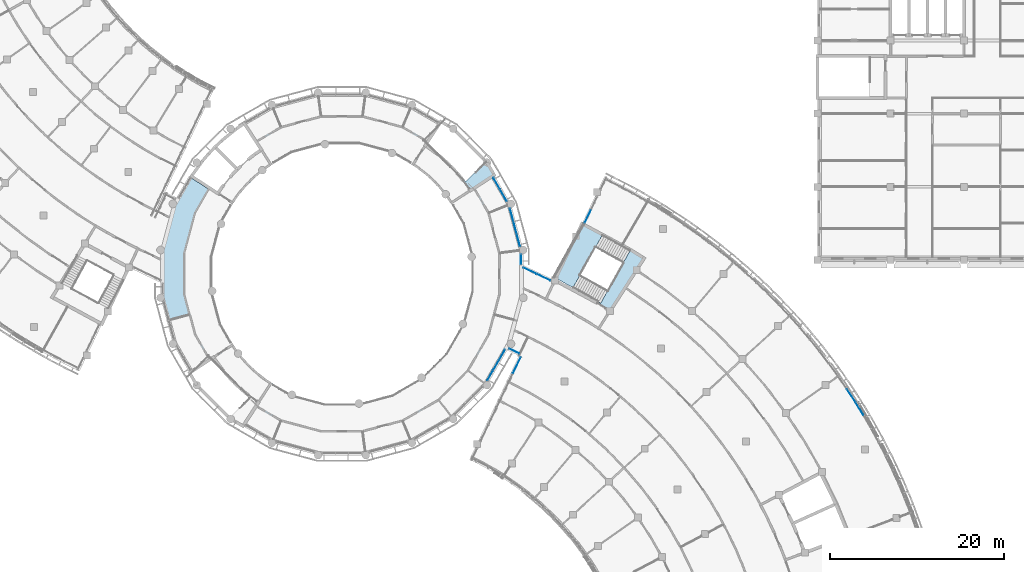
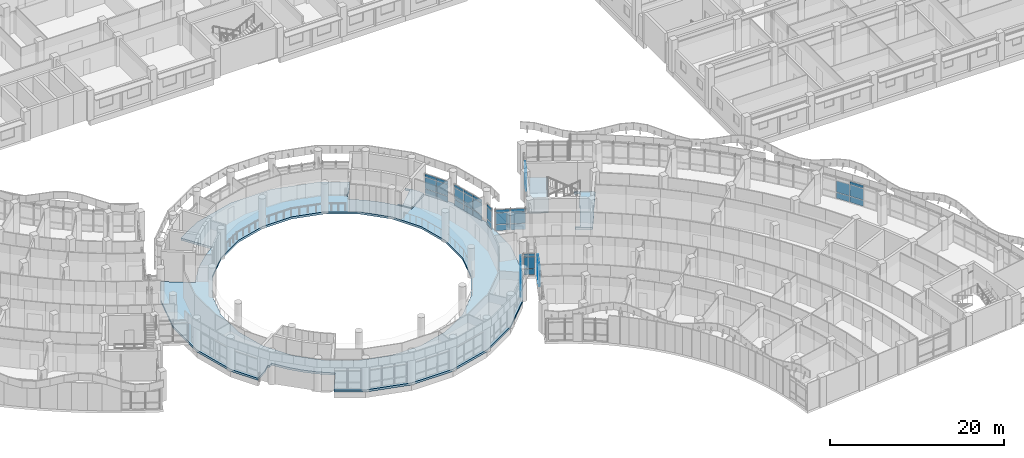
# One storey, part 35 of 109: 47 plates, 4 slabs, 10 elements without a shape of their own.
"""IFC4 building model written with IfcOpenShell, lengths in metres."""

from ifc_helpers import new_model, si_unit, direction, frame, origin, origin_2d, place, context, subcontext, project, spatial, polyline, rectangle, outline, extrude, material, layer, layer_set, type_object, element, aggregate, save


model = new_model("IFC4")

# Units and contexts
model_context = context("Model", 3, precision=1e-05, world=origin(), true_north=direction((0.0, 1.0)))
body_context = subcontext(model_context, "Body", "Model", "MODEL_VIEW")
ifc_project = project(units=[si_unit("LENGTHUNIT", "METRE"), si_unit("AREAUNIT", "SQUARE_METRE"), si_unit("VOLUMEUNIT", "CUBIC_METRE"), si_unit("PLANEANGLEUNIT", "RADIAN"), si_unit("MASSUNIT", "GRAM", prefix="KILO")], contexts=[model_context])

# Site, building, storey
site_placement = place(None, origin())
site = spatial("IfcSite", under=ifc_project, at=site_placement, CompositionType="ELEMENT")
building_placement = place(site_placement, origin())
building = spatial("IfcBuilding", under=site, at=building_placement, Name="Bougainvillea Quay General Hospital", CompositionType="ELEMENT")
storey_placement = place(building_placement, frame((0.0, 0.0, 12.60009765625)))
storey = spatial("IfcBuildingStorey", under=building, at=storey_placement, Name="L02", CompositionType="ELEMENT", Elevation=12.60009765625)

# Curtain wall, plates
ifc_material_1 = material(Name="Aluminium curtain wall system, powder-coated glazed", Category="aluminium")
curtain_wall_type_1 = type_object("IfcCurtainWallType", Name="Unitised curtain wall CW-1422", PredefinedType="NOTDEFINED", material=ifc_material_1)
curtain_wall_1_placement = place(storey_placement, origin())
curtain_wall_1 = element("IfcCurtainWall", 1, at=curtain_wall_1_placement, inside=storey, type_object=curtain_wall_type_1, Name="CW-AE 00", PredefinedType="NOTDEFINED")
ifc_material_2 = material(Name="Insulated aluminium spandrel panel, white", Category="aluminium")
ifc_layer_1 = layer(ifc_material_2, 0.028076171875)
ifc_layer_set_1 = layer_set([ifc_layer_1], Name="Insulated aluminium spandrel panel, white")
plate_type_1 = type_object("IfcPlateType", Name="Insulated spandrel panel white 28", PredefinedType="CURTAIN_PANEL", material=ifc_layer_set_1)
plate_1_placement = place(storey_placement, frame((128.986083984375, 65.133544921875, 0.059814453125), z_axis=(0.0, 0.0, 1.0), x_axis=(0.902574242771, -0.430534245195, 0.0)))
plate_1 = element("IfcPlate", 2, at=plate_1_placement, type_object=plate_type_1, Name="CW-AE spandrel panel 1.1", PredefinedType="CURTAIN_PANEL", context=body_context, shape_type="SweptSolid", body=[
    extrude(rectangle(XDim=1.301513671875, YDim=0.028076171875, at=origin_2d()), origin(), (0.0, 0.0, 1.0), 0.81005859375),
])
plate_2_placement = place(storey_placement, frame((128.986083984375, 65.133544921875, 2.580078125), z_axis=(0.0, 0.0, 1.0), x_axis=(0.902574242771, -0.430534245195, 0.0)))
plate_2 = element("IfcPlate", 3, at=plate_2_placement, type_object=plate_type_1, Name="CW-AE spandrel panel 1.3", PredefinedType="CURTAIN_PANEL", context=body_context, shape_type="SweptSolid", body=[
    extrude(rectangle(XDim=1.301513671875, YDim=0.028076171875, at=origin_2d()), origin(), (0.0, 0.0, 1.0), 0.409912109375),
])

curtain_wall_type_2 = type_object("IfcCurtainWallType", Name="Unitised curtain wall CW-2157", PredefinedType="NOTDEFINED", material=ifc_material_1)
curtain_wall_2_placement = place(storey_placement, origin())
curtain_wall_2 = element("IfcCurtainWall", 4, at=curtain_wall_2_placement, inside=storey, type_object=curtain_wall_type_2, Name="CW-AE 00", PredefinedType="NOTDEFINED")
plate_3_placement = place(storey_placement, frame((129.275146484375, 63.5078125, 0.059814453125), z_axis=(0.0, 0.0, 1.0), x_axis=(-0.430530445105, -0.902576055431, 0.0)))
plate_3 = element("IfcPlate", 5, at=plate_3_placement, type_object=plate_type_1, Name="CW-AE spandrel panel 1.1", PredefinedType="CURTAIN_PANEL", context=body_context, shape_type="SweptSolid", body=[
    extrude(rectangle(XDim=2.06591796875, YDim=0.028076171875, at=origin_2d()), origin(), (0.0, 0.0, 1.0), 0.81005859375),
])
plate_4_placement = place(storey_placement, frame((129.275146484375, 63.5078125, 2.580078125), z_axis=(0.0, 0.0, 1.0), x_axis=(-0.430530445105, -0.902576055431, 0.0)))
plate_4 = element("IfcPlate", 6, at=plate_4_placement, type_object=plate_type_1, Name="CW-AE spandrel panel 1.3", PredefinedType="CURTAIN_PANEL", context=body_context, shape_type="SweptSolid", body=[
    extrude(rectangle(XDim=2.06591796875, YDim=0.028076171875, at=origin_2d()), origin(), (0.0, 0.0, 1.0), 0.409912109375),
])

curtain_wall_type_3 = type_object("IfcCurtainWallType", Name="Unitised curtain wall CW-2100", PredefinedType="NOTDEFINED", material=ifc_material_1)
curtain_wall_3_placement = place(storey_placement, origin())
curtain_wall_3 = element("IfcCurtainWall", 7, at=curtain_wall_3_placement, inside=storey, type_object=curtain_wall_type_3, Name="CW-E05 a23b4", PredefinedType="NOTDEFINED")
plate_5_placement = place(storey_placement, frame((167.654052734375, 60.04541015625, 0.059814453125), z_axis=(0.0, 0.0, 1.0), x_axis=(0.545493585615, -0.838114996915, 0.0)))
plate_5 = element("IfcPlate", 8, at=plate_5_placement, type_object=plate_type_1, Name="CW-E05 spandrel panel 2.1", PredefinedType="CURTAIN_PANEL", context=body_context, shape_type="SweptSolid", body=[
    extrude(rectangle(XDim=1.72021484375, YDim=0.028076171875, at=origin_2d()), origin(), (0.0, 0.0, 1.0), 0.81005859375),
])
plate_6_placement = place(storey_placement, frame((168.60595703125, 58.541015625, 0.059814453125), z_axis=(0.0, 0.0, 1.0), x_axis=(0.523926442936, -0.851763513185, 0.0)))
plate_6 = element("IfcPlate", 9, at=plate_6_placement, type_object=plate_type_1, Name="CW-E05 spandrel panel 3.1", PredefinedType="CURTAIN_PANEL", context=body_context, shape_type="SweptSolid", body=[
    extrude(rectangle(XDim=1.72021484375, YDim=0.028076171875, at=origin_2d()), origin(), (0.0, 0.0, 1.0), 0.81005859375),
])
plate_7_placement = place(storey_placement, frame((168.60595703125, 58.541015625, 2.580078125), z_axis=(0.0, 0.0, 1.0), x_axis=(0.523926442936, -0.851763513185, 0.0)))
plate_7 = element("IfcPlate", 10, at=plate_7_placement, type_object=plate_type_1, Name="CW-E05 spandrel panel 3.3", PredefinedType="CURTAIN_PANEL", context=body_context, shape_type="SweptSolid", body=[
    extrude(rectangle(XDim=1.72021484375, YDim=0.028076171875, at=origin_2d()), origin(), (0.0, 0.0, 1.0), 0.409912109375),
])

curtain_wall_type_4 = type_object("IfcCurtainWallType", Name="Unitised curtain wall CW-1703", PredefinedType="NOTDEFINED", material=ifc_material_1)
curtain_wall_4_placement = place(storey_placement, origin())
curtain_wall_4 = element("IfcCurtainWall", 11, at=curtain_wall_4_placement, inside=storey, type_object=curtain_wall_type_4, Name="CW-AE 01", PredefinedType="NOTDEFINED")
plate_8_placement = place(storey_placement, frame((137.426513671875, 80.597412109375, 0.059814453125), z_axis=(0.0, 0.0, 1.0), x_axis=(-0.430530445105, -0.902576055431, 0.0)))
plate_8 = element("IfcPlate", 12, at=plate_8_placement, type_object=plate_type_1, Name="CW-AE spandrel panel 2.1", PredefinedType="CURTAIN_PANEL", context=body_context, shape_type="SweptSolid", body=[
    extrude(rectangle(XDim=1.61279296875, YDim=0.028076171875, at=origin_2d()), origin(), (0.0, 0.0, 1.0), 0.81005859375),
])
plate_9_placement = place(storey_placement, frame((137.426513671875, 80.597412109375, 2.580078125), z_axis=(0.0, 0.0, 1.0), x_axis=(-0.430530445105, -0.902576055431, 0.0)))
plate_9 = element("IfcPlate", 13, at=plate_9_placement, type_object=plate_type_1, Name="CW-AE spandrel panel 2.3", PredefinedType="CURTAIN_PANEL", context=body_context, shape_type="SweptSolid", body=[
    extrude(rectangle(XDim=1.61279296875, YDim=0.028076171875, at=origin_2d()), origin(), (0.0, 0.0, 1.0), 0.409912109375),
])

curtain_wall_type_5 = type_object("IfcCurtainWallType", Name="Unitised curtain wall CW-1770", PredefinedType="NOTDEFINED", material=ifc_material_1)
curtain_wall_5_placement = place(storey_placement, origin())
curtain_wall_5 = element("IfcCurtainWall", 14, at=curtain_wall_5_placement, inside=storey, type_object=curtain_wall_type_5, Name="CW-AE 00", PredefinedType="NOTDEFINED")
plate_10_placement = place(storey_placement, frame((132.354248046875, 73.609375, 0.059814453125), z_axis=(0.0, 0.0, 1.0), x_axis=(-0.902608211345, 0.430463026068, 0.0)))
plate_10 = element("IfcPlate", 15, at=plate_10_placement, type_object=plate_type_1, Name="CW-AE spandrel panel 1.1", PredefinedType="CURTAIN_PANEL", context=body_context, shape_type="SweptSolid", body=[
    extrude(rectangle(XDim=1.67919921875, YDim=0.028076171875, at=origin_2d()), origin(), (0.0, 0.0, 1.0), 0.81005859375),
])
plate_11_placement = place(storey_placement, frame((132.354248046875, 73.609375, 2.580078125), z_axis=(0.0, 0.0, 1.0), x_axis=(-0.902608211345, 0.430463026068, 0.0)))
plate_11 = element("IfcPlate", 16, at=plate_11_placement, type_object=plate_type_1, Name="CW-AE spandrel panel 1.3", PredefinedType="CURTAIN_PANEL", context=body_context, shape_type="SweptSolid", body=[
    extrude(rectangle(XDim=1.67919921875, YDim=0.028076171875, at=origin_2d()), origin(), (0.0, 0.0, 1.0), 0.409912109375),
])
plate_12_placement = place(storey_placement, frame((130.784423828125, 74.358154296875, 0.059814453125), z_axis=(0.0, 0.0, 1.0), x_axis=(-0.902608211345, 0.430463026068, 0.0)))
plate_12 = element("IfcPlate", 17, at=plate_12_placement, type_object=plate_type_1, Name="CW-AE spandrel panel 2.1", PredefinedType="CURTAIN_PANEL", context=body_context, shape_type="SweptSolid", body=[
    extrude(rectangle(XDim=1.67919921875, YDim=0.028076171875, at=origin_2d()), origin(), (0.0, 0.0, 1.0), 0.81005859375),
])
plate_13_placement = place(storey_placement, frame((130.784423828125, 74.358154296875, 2.580078125), z_axis=(0.0, 0.0, 1.0), x_axis=(-0.902608211345, 0.430463026068, 0.0)))
plate_13 = element("IfcPlate", 18, at=plate_13_placement, type_object=plate_type_1, Name="CW-AE spandrel panel 2.3", PredefinedType="CURTAIN_PANEL", context=body_context, shape_type="SweptSolid", body=[
    extrude(rectangle(XDim=1.67919921875, YDim=0.028076171875, at=origin_2d()), origin(), (0.0, 0.0, 1.0), 0.409912109375),
])

curtain_wall_type_6 = type_object("IfcCurtainWallType", Name="Unitised curtain wall CW-1373", PredefinedType="NOTDEFINED", material=ifc_material_1)
curtain_wall_6_placement = place(storey_placement, origin())
curtain_wall_6 = element("IfcCurtainWall", 19, at=curtain_wall_6_placement, inside=storey, type_object=curtain_wall_type_6, Name="CW-D 00", PredefinedType="NOTDEFINED")
plate_14_placement = place(storey_placement, frame((126.22900390625, 62.355224609375, 0.059814453125), z_axis=(0.0, 0.0, 1.0), x_axis=(0.499961526253, 0.866047615473, 0.0)))
plate_14 = element("IfcPlate", 20, at=plate_14_placement, type_object=plate_type_1, Name="CW-D spandrel panel 1.1", PredefinedType="CURTAIN_PANEL", context=body_context, shape_type="SweptSolid", body=[
    extrude(rectangle(XDim=1.2822265625, YDim=0.028076171875, at=origin_2d()), origin(), (0.0, 0.0, 1.0), 0.81005859375),
])
plate_15_placement = place(storey_placement, frame((126.22900390625, 62.355224609375, 2.580078125), z_axis=(0.0, 0.0, 1.0), x_axis=(0.499961526253, 0.866047615473, 0.0)))
plate_15 = element("IfcPlate", 21, at=plate_15_placement, type_object=plate_type_1, Name="CW-D spandrel panel 1.3", PredefinedType="CURTAIN_PANEL", context=body_context, shape_type="SweptSolid", body=[
    extrude(rectangle(XDim=1.2822265625, YDim=0.028076171875, at=origin_2d()), origin(), (0.0, 0.0, 1.0), 0.409912109375),
])
plate_16_placement = place(storey_placement, frame((126.907470703125, 63.530517578125, 0.059814453125), z_axis=(0.0, 0.0, 1.0), x_axis=(0.499961526253, 0.866047615473, 0.0)))
plate_16 = element("IfcPlate", 22, at=plate_16_placement, type_object=plate_type_1, Name="CW-D spandrel panel 2.1", PredefinedType="CURTAIN_PANEL", context=body_context, shape_type="SweptSolid", body=[
    extrude(rectangle(XDim=1.31201171875, YDim=0.028076171875, at=origin_2d()), origin(), (0.0, 0.0, 1.0), 0.81005859375),
])
plate_17_placement = place(storey_placement, frame((126.907470703125, 63.530517578125, 2.580078125), z_axis=(0.0, 0.0, 1.0), x_axis=(0.499961526253, 0.866047615473, 0.0)))
plate_17 = element("IfcPlate", 23, at=plate_17_placement, type_object=plate_type_1, Name="CW-D spandrel panel 2.3", PredefinedType="CURTAIN_PANEL", context=body_context, shape_type="SweptSolid", body=[
    extrude(rectangle(XDim=1.31201171875, YDim=0.028076171875, at=origin_2d()), origin(), (0.0, 0.0, 1.0), 0.409912109375),
])
plate_18_placement = place(storey_placement, frame((127.5859375, 64.705810546875, 0.059814453125), z_axis=(0.0, 0.0, 1.0), x_axis=(0.499961526253, 0.866047615473, 0.0)))
plate_18 = element("IfcPlate", 24, at=plate_18_placement, type_object=plate_type_1, Name="CW-D spandrel panel 3.1", PredefinedType="CURTAIN_PANEL", context=body_context, shape_type="SweptSolid", body=[
    extrude(rectangle(XDim=1.2822265625, YDim=0.028076171875, at=origin_2d()), origin(), (0.0, 0.0, 1.0), 0.81005859375),
])
plate_19_placement = place(storey_placement, frame((127.5859375, 64.705810546875, 2.580078125), z_axis=(0.0, 0.0, 1.0), x_axis=(0.499961526253, 0.866047615473, 0.0)))
plate_19 = element("IfcPlate", 25, at=plate_19_placement, type_object=plate_type_1, Name="CW-D spandrel panel 3.3", PredefinedType="CURTAIN_PANEL", context=body_context, shape_type="SweptSolid", body=[
    extrude(rectangle(XDim=1.2822265625, YDim=0.028076171875, at=origin_2d()), origin(), (0.0, 0.0, 1.0), 0.409912109375),
])

curtain_wall_type_7 = type_object("IfcCurtainWallType", Name="Unitised curtain wall CW-1211", PredefinedType="NOTDEFINED", material=ifc_material_1)
curtain_wall_7_placement = place(storey_placement, origin())
curtain_wall_7 = element("IfcCurtainWall", 26, at=curtain_wall_7_placement, inside=storey, type_object=curtain_wall_type_7, Name="CW-D 00", PredefinedType="NOTDEFINED")
plate_20_placement = place(storey_placement, frame((129.77001953125, 75.66552734375, 0.059814453125), z_axis=(0.0, 0.0, 1.0), x_axis=(0.0, 1.0, 0.0)))
plate_20 = element("IfcPlate", 27, at=plate_20_placement, type_object=plate_type_1, Name="CW-D spandrel panel 1.1", PredefinedType="CURTAIN_PANEL", context=body_context, shape_type="SweptSolid", body=[
    extrude(rectangle(XDim=1.091064453125, YDim=0.028076171875, at=origin_2d()), origin(), (0.0, 0.0, 1.0), 0.81005859375),
])
plate_21_placement = place(storey_placement, frame((129.77001953125, 75.66552734375, 2.580078125), z_axis=(0.0, 0.0, 1.0), x_axis=(0.0, 1.0, 0.0)))
plate_21 = element("IfcPlate", 28, at=plate_21_placement, type_object=plate_type_1, Name="CW-D spandrel panel 1.3", PredefinedType="CURTAIN_PANEL", context=body_context, shape_type="SweptSolid", body=[
    extrude(rectangle(XDim=1.091064453125, YDim=0.028076171875, at=origin_2d()), origin(), (0.0, 0.0, 1.0), 0.409912109375),
])

curtain_wall_type_8 = type_object("IfcCurtainWallType", Name="Unitised curtain wall CW-1514", PredefinedType="NOTDEFINED", material=ifc_material_1)
curtain_wall_8_placement = place(storey_placement, origin())
curtain_wall_8 = element("IfcCurtainWall", 29, at=curtain_wall_8_placement, inside=storey, type_object=curtain_wall_type_8, Name="CW-D 00", PredefinedType="NOTDEFINED")
plate_22_placement = place(storey_placement, frame((129.45703125, 77.8759765625, 0.059814453125), z_axis=(0.0, 0.0, 1.0), x_axis=(-0.258854621298, 0.965916292974, 0.0)))
plate_22 = element("IfcPlate", 30, at=plate_22_placement, type_object=plate_type_1, Name="CW-D spandrel panel 1.1", PredefinedType="CURTAIN_PANEL", context=body_context, shape_type="SweptSolid", body=[
    extrude(rectangle(XDim=1.423828125, YDim=0.028076171875, at=origin_2d()), origin(), (0.0, 0.0, 1.0), 0.81005859375),
])
plate_23_placement = place(storey_placement, frame((129.45703125, 77.8759765625, 2.580078125), z_axis=(0.0, 0.0, 1.0), x_axis=(-0.258854621298, 0.965916292974, 0.0)))
plate_23 = element("IfcPlate", 31, at=plate_23_placement, type_object=plate_type_1, Name="CW-D spandrel panel 1.3", PredefinedType="CURTAIN_PANEL", context=body_context, shape_type="SweptSolid", body=[
    extrude(rectangle(XDim=1.423828125, YDim=0.028076171875, at=origin_2d()), origin(), (0.0, 0.0, 1.0), 0.409912109375),
])
plate_24_placement = place(storey_placement, frame((129.069091796875, 79.32373046875, 0.059814453125), z_axis=(0.0, 0.0, 1.0), x_axis=(-0.258854621298, 0.965916292974, 0.0)))
plate_24 = element("IfcPlate", 32, at=plate_24_placement, type_object=plate_type_1, Name="CW-D spandrel panel 2.1", PredefinedType="CURTAIN_PANEL", context=body_context, shape_type="SweptSolid", body=[
    extrude(rectangle(XDim=1.453857421875, YDim=0.028076171875, at=origin_2d()), origin(), (0.0, 0.0, 1.0), 0.81005859375),
])
plate_25_placement = place(storey_placement, frame((129.069091796875, 79.32373046875, 2.580078125), z_axis=(0.0, 0.0, 1.0), x_axis=(-0.258854621298, 0.965916292974, 0.0)))
plate_25 = element("IfcPlate", 33, at=plate_25_placement, type_object=plate_type_1, Name="CW-D spandrel panel 2.3", PredefinedType="CURTAIN_PANEL", context=body_context, shape_type="SweptSolid", body=[
    extrude(rectangle(XDim=1.453857421875, YDim=0.028076171875, at=origin_2d()), origin(), (0.0, 0.0, 1.0), 0.409912109375),
])
plate_26_placement = place(storey_placement, frame((128.680908203125, 80.771728515625, 0.059814453125), z_axis=(0.0, 0.0, 1.0), x_axis=(-0.258854621298, 0.965916292974, 0.0)))
plate_26 = element("IfcPlate", 34, at=plate_26_placement, type_object=plate_type_1, Name="CW-D spandrel panel 3.1", PredefinedType="CURTAIN_PANEL", context=body_context, shape_type="SweptSolid", body=[
    extrude(rectangle(XDim=1.423828125, YDim=0.028076171875, at=origin_2d()), origin(), (0.0, 0.0, 1.0), 0.81005859375),
])
plate_27_placement = place(storey_placement, frame((128.680908203125, 80.771728515625, 2.580078125), z_axis=(0.0, 0.0, 1.0), x_axis=(-0.258854621298, 0.965916292974, 0.0)))
plate_27 = element("IfcPlate", 35, at=plate_27_placement, type_object=plate_type_1, Name="CW-D spandrel panel 3.3", PredefinedType="CURTAIN_PANEL", context=body_context, shape_type="SweptSolid", body=[
    extrude(rectangle(XDim=1.423828125, YDim=0.028076171875, at=origin_2d()), origin(), (0.0, 0.0, 1.0), 0.409912109375),
])

curtain_wall_type_9 = type_object("IfcCurtainWallType", Name="Unitised curtain wall CW-1585", PredefinedType="NOTDEFINED", material=ifc_material_1)
curtain_wall_9_placement = place(storey_placement, origin())
curtain_wall_9 = element("IfcCurtainWall", 36, at=curtain_wall_9_placement, inside=storey, type_object=curtain_wall_type_9, Name="CW-D 00", PredefinedType="NOTDEFINED")
plate_28_placement = place(storey_placement, frame((127.745849609375, 83.017333984375, 0.059814453125), z_axis=(0.0, 0.0, 1.0), x_axis=(-0.499964557262, 0.866045865692, 0.0)))
plate_28 = element("IfcPlate", 37, at=plate_28_placement, type_object=plate_type_1, Name="CW-D spandrel panel 1.1", PredefinedType="CURTAIN_PANEL", context=body_context, shape_type="SweptSolid", body=[
    extrude(rectangle(XDim=1.494873046875, YDim=0.028076171875, at=origin_2d()), origin(), (0.0, 0.0, 1.0), 0.81005859375),
])
plate_29_placement = place(storey_placement, frame((127.745849609375, 83.017333984375, 2.580078125), z_axis=(0.0, 0.0, 1.0), x_axis=(-0.499964557262, 0.866045865692, 0.0)))
plate_29 = element("IfcPlate", 38, at=plate_29_placement, type_object=plate_type_1, Name="CW-D spandrel panel 1.3", PredefinedType="CURTAIN_PANEL", context=body_context, shape_type="SweptSolid", body=[
    extrude(rectangle(XDim=1.494873046875, YDim=0.028076171875, at=origin_2d()), origin(), (0.0, 0.0, 1.0), 0.409912109375),
])
plate_30_placement = place(storey_placement, frame((126.968505859375, 84.364013671875, 0.059814453125), z_axis=(0.0, 0.0, 1.0), x_axis=(-0.499964557262, 0.866045865692, 0.0)))
plate_30 = element("IfcPlate", 39, at=plate_30_placement, type_object=plate_type_1, Name="CW-D spandrel panel 2.1", PredefinedType="CURTAIN_PANEL", context=body_context, shape_type="SweptSolid", body=[
    extrude(rectangle(XDim=1.494873046875, YDim=0.028076171875, at=origin_2d()), origin(), (0.0, 0.0, 1.0), 0.81005859375),
])
plate_31_placement = place(storey_placement, frame((126.968505859375, 84.364013671875, 2.580078125), z_axis=(0.0, 0.0, 1.0), x_axis=(-0.499964557262, 0.866045865692, 0.0)))
plate_31 = element("IfcPlate", 40, at=plate_31_placement, type_object=plate_type_1, Name="CW-D spandrel panel 2.3", PredefinedType="CURTAIN_PANEL", context=body_context, shape_type="SweptSolid", body=[
    extrude(rectangle(XDim=1.494873046875, YDim=0.028076171875, at=origin_2d()), origin(), (0.0, 0.0, 1.0), 0.409912109375),
])

# Plate
ifc_material_3 = material(Name="Low-e laminated glass, solar control", Category="glass")
ifc_layer_2 = layer(ifc_material_3, 0.028076171875)
ifc_layer_set_2 = layer_set([ifc_layer_2], Name="Low-e laminated glass, solar control")
plate_type_2 = type_object("IfcPlateType", Name="Low-e laminated vision glass 28", PredefinedType="CURTAIN_PANEL", material=ifc_layer_set_2)
plate_32_placement = place(storey_placement, frame((128.986083984375, 65.133544921875, 0.9296875), z_axis=(0.0, 0.0, 1.0), x_axis=(0.902574242771, -0.430534245195, 0.0)))
plate_32 = element("IfcPlate", 41, at=plate_32_placement, type_object=plate_type_2, Name="CW-AE vision glass panel 1.2", PredefinedType="CURTAIN_PANEL", context=body_context, shape_type="SweptSolid", body=[
    extrude(rectangle(XDim=1.301513671875, YDim=0.028076171875, at=origin_2d()), origin(), (0.0, 0.0, 1.0), 1.590087890625),
])

aggregate(curtain_wall_1, [plate_1, plate_32, plate_2])

plate_33_placement = place(storey_placement, frame((129.275146484375, 63.5078125, 0.9296875), z_axis=(0.0, 0.0, 1.0), x_axis=(-0.430530445105, -0.902576055431, 0.0)))
plate_33 = element("IfcPlate", 42, at=plate_33_placement, type_object=plate_type_2, Name="CW-AE vision glass panel 1.2", PredefinedType="CURTAIN_PANEL", context=body_context, shape_type="SweptSolid", body=[
    extrude(rectangle(XDim=2.06591796875, YDim=0.028076171875, at=origin_2d()), origin(), (0.0, 0.0, 1.0), 1.590087890625),
])

aggregate(curtain_wall_2, [plate_3, plate_33, plate_4])

plate_34_placement = place(storey_placement, frame((167.654052734375, 60.04541015625, 0.9296875), z_axis=(0.0, 0.0, 1.0), x_axis=(0.545493585615, -0.838114996915, 0.0)))
plate_34 = element("IfcPlate", 43, at=plate_34_placement, type_object=plate_type_2, Name="CW-E05 vision glass panel 2.2", PredefinedType="CURTAIN_PANEL", context=body_context, shape_type="SweptSolid", body=[
    extrude(rectangle(XDim=1.72021484375, YDim=0.028076171875, at=origin_2d()), origin(), (0.0, 0.0, 1.0), 1.590087890625),
])

plate_35_placement = place(storey_placement, frame((168.60595703125, 58.541015625, 0.9296875), z_axis=(0.0, 0.0, 1.0), x_axis=(0.523926442936, -0.851763513185, 0.0)))
plate_35 = element("IfcPlate", 44, at=plate_35_placement, type_object=plate_type_2, Name="CW-E05 vision glass panel 3.2", PredefinedType="CURTAIN_PANEL", context=body_context, shape_type="SweptSolid", body=[
    extrude(rectangle(XDim=1.72021484375, YDim=0.028076171875, at=origin_2d()), origin(), (0.0, 0.0, 1.0), 1.590087890625),
])

aggregate(curtain_wall_3, [plate_5, plate_34, plate_6, plate_35, plate_7])

plate_36_placement = place(storey_placement, frame((137.426513671875, 80.597412109375, 0.9296875), z_axis=(0.0, 0.0, 1.0), x_axis=(-0.430530445105, -0.902576055431, 0.0)))
plate_36 = element("IfcPlate", 45, at=plate_36_placement, type_object=plate_type_2, Name="CW-AE vision glass panel 2.2", PredefinedType="CURTAIN_PANEL", context=body_context, shape_type="SweptSolid", body=[
    extrude(rectangle(XDim=1.61279296875, YDim=0.028076171875, at=origin_2d()), origin(), (0.0, 0.0, 1.0), 1.590087890625),
])

aggregate(curtain_wall_4, [plate_8, plate_36, plate_9])

plate_37_placement = place(storey_placement, frame((132.354248046875, 73.609375, 0.9296875), z_axis=(0.0, 0.0, 1.0), x_axis=(-0.902608211345, 0.430463026068, 0.0)))
plate_37 = element("IfcPlate", 46, at=plate_37_placement, type_object=plate_type_2, Name="CW-AE vision glass panel 1.2", PredefinedType="CURTAIN_PANEL", context=body_context, shape_type="SweptSolid", body=[
    extrude(rectangle(XDim=1.67919921875, YDim=0.028076171875, at=origin_2d()), origin(), (0.0, 0.0, 1.0), 1.590087890625),
])

plate_38_placement = place(storey_placement, frame((130.784423828125, 74.358154296875, 0.9296875), z_axis=(0.0, 0.0, 1.0), x_axis=(-0.902608211345, 0.430463026068, 0.0)))
plate_38 = element("IfcPlate", 47, at=plate_38_placement, type_object=plate_type_2, Name="CW-AE vision glass panel 2.2", PredefinedType="CURTAIN_PANEL", context=body_context, shape_type="SweptSolid", body=[
    extrude(rectangle(XDim=1.67919921875, YDim=0.028076171875, at=origin_2d()), origin(), (0.0, 0.0, 1.0), 1.590087890625),
])

aggregate(curtain_wall_5, [plate_10, plate_37, plate_11, plate_12, plate_38, plate_13])

plate_39_placement = place(storey_placement, frame((126.22900390625, 62.355224609375, 0.9296875), z_axis=(0.0, 0.0, 1.0), x_axis=(0.499961526253, 0.866047615473, 0.0)))
plate_39 = element("IfcPlate", 48, at=plate_39_placement, type_object=plate_type_2, Name="CW-D vision glass panel 1.2", PredefinedType="CURTAIN_PANEL", context=body_context, shape_type="SweptSolid", body=[
    extrude(rectangle(XDim=1.2822265625, YDim=0.028076171875, at=origin_2d()), origin(), (0.0, 0.0, 1.0), 1.590087890625),
])

plate_40_placement = place(storey_placement, frame((126.907470703125, 63.530517578125, 0.9296875), z_axis=(0.0, 0.0, 1.0), x_axis=(0.499961526253, 0.866047615473, 0.0)))
plate_40 = element("IfcPlate", 49, at=plate_40_placement, type_object=plate_type_2, Name="CW-D vision glass panel 2.2", PredefinedType="CURTAIN_PANEL", context=body_context, shape_type="SweptSolid", body=[
    extrude(rectangle(XDim=1.31201171875, YDim=0.028076171875, at=origin_2d()), origin(), (0.0, 0.0, 1.0), 1.590087890625),
])

plate_41_placement = place(storey_placement, frame((127.5859375, 64.705810546875, 0.9296875), z_axis=(0.0, 0.0, 1.0), x_axis=(0.499961526253, 0.866047615473, 0.0)))
plate_41 = element("IfcPlate", 50, at=plate_41_placement, type_object=plate_type_2, Name="CW-D vision glass panel 3.2", PredefinedType="CURTAIN_PANEL", context=body_context, shape_type="SweptSolid", body=[
    extrude(rectangle(XDim=1.2822265625, YDim=0.028076171875, at=origin_2d()), origin(), (0.0, 0.0, 1.0), 1.590087890625),
])

aggregate(curtain_wall_6, [plate_14, plate_39, plate_15, plate_16, plate_40, plate_17, plate_18, plate_41, plate_19])

plate_42_placement = place(storey_placement, frame((129.77001953125, 75.66552734375, 0.9296875), z_axis=(0.0, 0.0, 1.0), x_axis=(0.0, 1.0, 0.0)))
plate_42 = element("IfcPlate", 51, at=plate_42_placement, type_object=plate_type_2, Name="CW-D vision glass panel 1.2", PredefinedType="CURTAIN_PANEL", context=body_context, shape_type="SweptSolid", body=[
    extrude(rectangle(XDim=1.091064453125, YDim=0.028076171875, at=origin_2d()), origin(), (0.0, 0.0, 1.0), 1.590087890625),
])

aggregate(curtain_wall_7, [plate_20, plate_42, plate_21])

plate_43_placement = place(storey_placement, frame((129.45703125, 77.8759765625, 0.9296875), z_axis=(0.0, 0.0, 1.0), x_axis=(-0.258854621298, 0.965916292974, 0.0)))
plate_43 = element("IfcPlate", 52, at=plate_43_placement, type_object=plate_type_2, Name="CW-D vision glass panel 1.2", PredefinedType="CURTAIN_PANEL", context=body_context, shape_type="SweptSolid", body=[
    extrude(rectangle(XDim=1.423828125, YDim=0.028076171875, at=origin_2d()), origin(), (0.0, 0.0, 1.0), 1.590087890625),
])

plate_44_placement = place(storey_placement, frame((129.069091796875, 79.32373046875, 0.9296875), z_axis=(0.0, 0.0, 1.0), x_axis=(-0.258854621298, 0.965916292974, 0.0)))
plate_44 = element("IfcPlate", 53, at=plate_44_placement, type_object=plate_type_2, Name="CW-D vision glass panel 2.2", PredefinedType="CURTAIN_PANEL", context=body_context, shape_type="SweptSolid", body=[
    extrude(rectangle(XDim=1.453857421875, YDim=0.028076171875, at=origin_2d()), origin(), (0.0, 0.0, 1.0), 1.590087890625),
])

plate_45_placement = place(storey_placement, frame((128.680908203125, 80.771728515625, 0.9296875), z_axis=(0.0, 0.0, 1.0), x_axis=(-0.258854621298, 0.965916292974, 0.0)))
plate_45 = element("IfcPlate", 54, at=plate_45_placement, type_object=plate_type_2, Name="CW-D vision glass panel 3.2", PredefinedType="CURTAIN_PANEL", context=body_context, shape_type="SweptSolid", body=[
    extrude(rectangle(XDim=1.423828125, YDim=0.028076171875, at=origin_2d()), origin(), (0.0, 0.0, 1.0), 1.590087890625),
])

aggregate(curtain_wall_8, [plate_22, plate_43, plate_23, plate_24, plate_44, plate_25, plate_26, plate_45, plate_27])

plate_46_placement = place(storey_placement, frame((127.745849609375, 83.017333984375, 0.9296875), z_axis=(0.0, 0.0, 1.0), x_axis=(-0.499964557262, 0.866045865692, 0.0)))
plate_46 = element("IfcPlate", 55, at=plate_46_placement, type_object=plate_type_2, Name="CW-D vision glass panel 1.2", PredefinedType="CURTAIN_PANEL", context=body_context, shape_type="SweptSolid", body=[
    extrude(rectangle(XDim=1.494873046875, YDim=0.028076171875, at=origin_2d()), origin(), (0.0, 0.0, 1.0), 1.590087890625),
])

plate_47_placement = place(storey_placement, frame((126.968505859375, 84.364013671875, 0.9296875), z_axis=(0.0, 0.0, 1.0), x_axis=(-0.499964557262, 0.866045865692, 0.0)))
plate_47 = element("IfcPlate", 56, at=plate_47_placement, type_object=plate_type_2, Name="CW-D vision glass panel 2.2", PredefinedType="CURTAIN_PANEL", context=body_context, shape_type="SweptSolid", body=[
    extrude(rectangle(XDim=1.494873046875, YDim=0.028076171875, at=origin_2d()), origin(), (0.0, 0.0, 1.0), 1.590087890625),
])

aggregate(curtain_wall_9, [plate_28, plate_46, plate_29, plate_30, plate_47, plate_31])

# Slabs
ifc_material_4 = material(Name="Concrete C35", Category="concrete")
ifc_layer_3 = layer(ifc_material_4, 0.300048828125)
ifc_layer_set_3 = layer_set([ifc_layer_3], Name="Concrete C35")
slab_type_1 = type_object("IfcSlabType", Name="RC FLAT SLAB 300 C35", PredefinedType="FLOOR", material=ifc_layer_set_3)
slab_1_placement = place(storey_placement, frame((0.0, 0.0, -0.300048828125)))
element("IfcSlab", 57, at=slab_1_placement, inside=storey, type_object=slab_type_1, Name="Slab S3 L02", PredefinedType="FLOOR", context=body_context, shape_type="SweptSolid", body=[
    extrude(outline(polyline([(97.30126953125, 85.8955078125), (98.614013671875, 87.076416015625), (99.310791015625, 87.611328125), (99.894775390625, 88.015380859375), (100.18310546875, 88.20556640625), (98.0322265625, 91.518798828125), (97.99755859375, 91.572998046875), (101.1640625, 93.40087890625), (106.458984375, 94.820068359375), (111.94091796875, 94.820068359375), (117.236083984375, 93.40087890625), (120.4033203125, 91.572509765625), (120.316650390625, 91.43115234375), (119.42919921875, 90.068603515625), (118.68408203125, 89.323486328125), (118.84130859375, 89.166259765625), (118.5439453125, 88.70947265625), (118.827392578125, 88.520263671875), (120.165771484375, 87.541748046875), (121.52099609375, 86.321044921875), (122.74169921875, 84.9658203125), (123.72021484375, 83.627197265625), (123.909423828125, 83.343994140625), (126.772705078125, 85.203125), (128.60107421875, 82.035888671875), (130.02001953125, 76.740966796875), (130.02001953125, 71.259033203125), (128.60107421875, 65.964111328125), (125.860107421875, 61.216064453125), (121.98388671875, 57.340087890625), (117.236083984375, 54.59912109375), (111.94091796875, 53.179931640625), (106.458984375, 53.179931640625), (101.1640625, 54.59912109375), (97.99658203125, 56.427490234375), (98.083251953125, 56.56884765625), (99.856201171875, 59.29052734375), (99.57275390625, 59.479736328125), (98.234375, 60.458251953125), (96.87890625, 61.678955078125), (95.658203125, 63.0341796875), (94.6796875, 64.372802734375), (94.490478515625, 64.656005859375), (94.033203125, 64.359130859375), (93.87646484375, 64.515869140625), (93.138916015625, 63.7783203125), (91.62744140625, 62.796875), (89.799072265625, 65.964111328125), (88.3798828125, 71.259033203125), (88.3798828125, 76.740966796875), (89.799072265625, 82.035888671875), (91.626953125, 85.202392578125), (91.68115234375, 85.167724609375), (94.994384765625, 83.016845703125), (95.1845703125, 83.305419921875), (95.58740234375, 83.88720703125), (96.69873046875, 85.259521484375), (97.30126953125, 85.8955078125)]), holes=[polyline([(100.069091796875, 85.89990234375), (97.300048828125, 83.131103515625), (95.342041015625, 79.739990234375), (94.327880859375, 75.9580078125), (94.327880859375, 72.0419921875), (95.342041015625, 68.260009765625), (97.300048828125, 64.868896484375), (100.069091796875, 62.10009765625), (103.4599609375, 60.14208984375), (107.241943359375, 59.1279296875), (111.157958984375, 59.1279296875), (114.93994140625, 60.14208984375), (118.3310546875, 62.10009765625), (121.10009765625, 64.868896484375), (123.05810546875, 68.260009765625), (124.072021484375, 72.0419921875), (124.072021484375, 75.9580078125), (123.05810546875, 79.739990234375), (121.10009765625, 83.131103515625), (118.3310546875, 85.89990234375), (114.93994140625, 87.85791015625), (111.157958984375, 88.8720703125), (107.241943359375, 88.8720703125), (103.4599609375, 87.85791015625), (100.069091796875, 85.89990234375)])]), origin(), (0.0, 0.0, 1.0), 0.300048828125),
])
slab_2_placement = place(storey_placement, frame((0.0, 0.0, -0.300048828125)))
element("IfcSlab", 58, at=slab_2_placement, inside=storey, type_object=slab_type_1, Name="Stair landing floor ST-H1 L02", PredefinedType="FLOOR", context=body_context, shape_type="SweptSolid", body=[
    extrude(outline(polyline([(125.685302734375, 84.64599609375), (124.2763671875, 83.731201171875), (124.240234375, 83.767333984375), (123.9609375, 83.5859375), (123.43896484375, 84.344970703125), (122.95703125, 84.97314453125), (122.9931640625, 85.012939453125), (123.418212890625, 84.588623046875), (125.7001953125, 86.87060546875), (125.27587890625, 87.295654296875), (125.31396484375, 87.330078125), (125.860107421875, 86.783935546875), (125.961181640625, 86.60888671875), (126.09765625, 86.47216796875), (126.614990234375, 85.575927734375), (126.57861328125, 85.539306640625), (126.68505859375, 85.35498046875), (125.855224609375, 84.816162109375), (125.685302734375, 84.64599609375)])), origin(), (0.0, 0.0, 1.0), 0.300048828125),
])
ifc_layer_4 = layer(ifc_material_4, 0.35009765625)
ifc_layer_set_4 = layer_set([ifc_layer_4], Name="Concrete C35")
slab_type_2 = type_object("IfcSlabType", Name="RC FLAT SLAB 350 C35", PredefinedType="FLOOR", material=ifc_layer_set_4)
slab_3_placement = place(storey_placement, frame((0.0, 0.0, -0.35009765625)))
element("IfcSlab", 59, at=slab_3_placement, inside=storey, type_object=slab_type_2, Name="Stair landing floor ST-E1 L02", PredefinedType="FLOOR", context=body_context, shape_type="SweptSolid", body=[
    extrude(outline(polyline([(141.918701171875, 72.65380859375), (140.1650390625, 69.93408203125), (140.12109375, 69.95849609375), (139.97900390625, 69.738037109375), (138.44091796875, 70.695068359375), (138.318359375, 70.765869140625), (138.33349609375, 70.82177734375), (138.354248046875, 70.876708984375), (138.3798828125, 70.9287109375), (138.90478515625, 70.636474609375), (142.294677734375, 76.71337890625), (141.7705078125, 77.00634765625), (141.801025390625, 77.055419921875), (141.80810546875, 77.064208984375), (142.14697265625, 76.867919921875), (143.279296875, 76.163330078125), (143.73486328125, 75.9091796875), (143.72265625, 75.887451171875), (143.881103515625, 75.7890625), (142.30029296875, 73.337646484375), (141.918701171875, 72.65380859375)])), origin(), (0.0, 0.0, 1.0), 0.35009765625),
])

# Stair, slab
stair_type = type_object("IfcStairType", Name="Stair half-turn 1650 wide", PredefinedType="HALF_TURN_STAIR", material=ifc_material_4)
stair_placement = place(storey_placement, origin())
stair = element("IfcStair", 60, at=stair_placement, inside=storey, type_object=stair_type, Name="L02 stair ST-E1", PredefinedType="HALF_TURN_STAIR")
ifc_layer_5 = layer(ifc_material_4, 0.199951171875)
ifc_layer_set_5 = layer_set([ifc_layer_5], Name="Concrete C35")
slab_type_3 = type_object("IfcSlabType", Name="Stair landing 200", PredefinedType="LANDING", material=ifc_layer_set_5)
slab_4_placement = place(storey_placement, frame((0.0, 0.0, 1.89990234375)))
slab_4 = element("IfcSlab", 61, at=slab_4_placement, type_object=slab_type_3, Name="ST-E1 landing 1", PredefinedType="LANDING", context=body_context, shape_type="SweptSolid", body=[
    extrude(outline(polyline([(139.114990234375, 78.486572265625), (136.931884765625, 79.704345703125), (133.54248046875, 73.628662109375), (135.7255859375, 72.41064453125), (139.114990234375, 78.486572265625)])), origin(), (0.0, 0.0, 1.0), 0.199951171875),
])
aggregate(stair, [slab_4])

save(model, "model.ifc")
